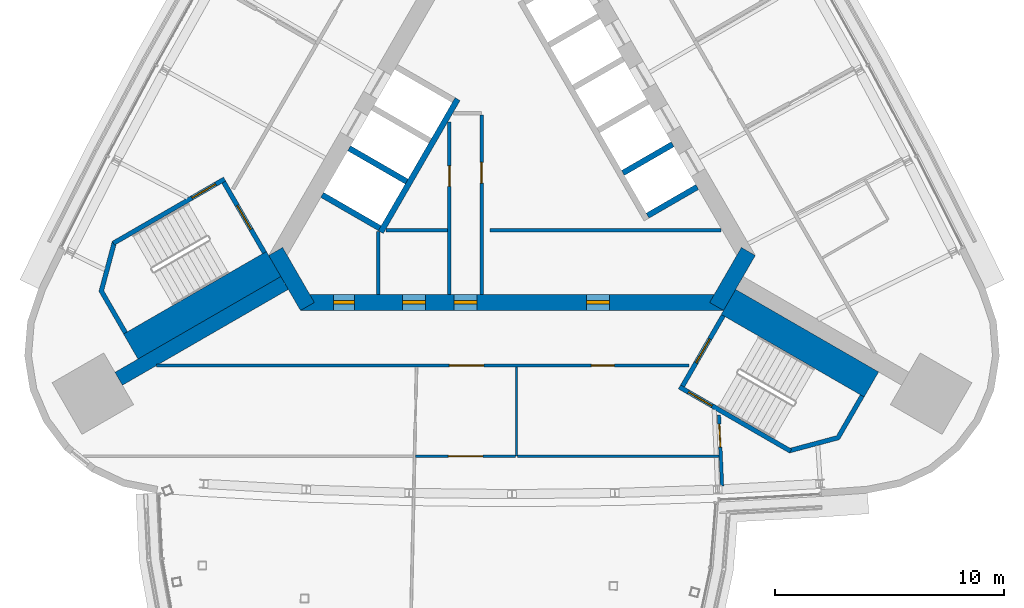
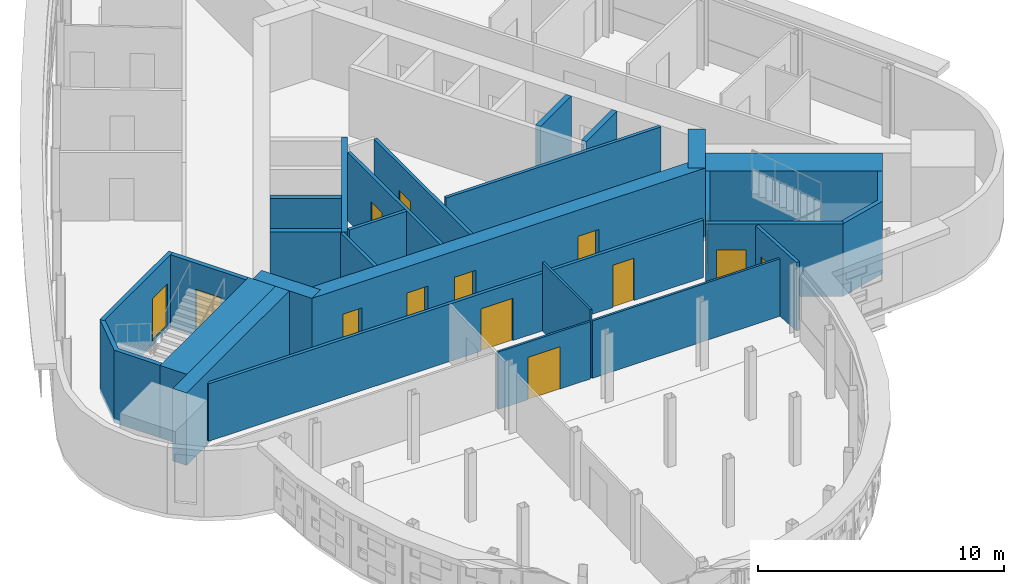
# One storey, part 9 of 14: 27 walls, 14 doors, 14 openings.
"""IFC4 building model written with IfcOpenShell, lengths in metres."""

from ifc_helpers import new_model, si_unit, direction, frame, frame_2d, origin, place, context, subcontext, project, spatial, polyline, rectangle, outline, extrude, material, layer, layer_set, type_object, element, fill, save


model = new_model("IFC4")

# Units and contexts
model_context = context("Model", 3, precision=1e-05, world=origin(), true_north=direction((0.0, 1.0)))
body_context = subcontext(model_context, "Body", "Model", "MODEL_VIEW")
ifc_project = project(units=[si_unit("LENGTHUNIT", "METRE"), si_unit("AREAUNIT", "SQUARE_METRE"), si_unit("VOLUMEUNIT", "CUBIC_METRE"), si_unit("PLANEANGLEUNIT", "RADIAN"), si_unit("MASSUNIT", "GRAM", prefix="KILO")], contexts=[model_context])

# Site, building, storey
site_placement = place(None, origin())
site = spatial("IfcSite", under=ifc_project, at=site_placement, CompositionType="ELEMENT")
building_placement = place(site_placement, origin())
building = spatial("IfcBuilding", under=site, at=building_placement, Name="Noor Cloister Tower", CompositionType="ELEMENT")
storey_placement = place(building_placement, frame((0.0, 0.0, 214.800048828125)))
storey = spatial("IfcBuildingStorey", under=building, at=storey_placement, Name="L55", CompositionType="ELEMENT", Elevation=214.800048828125)

# Walls
ifc_material_1 = material(Name="Concrete C60/75", Category="concrete")
ifc_layer_1 = layer(ifc_material_1, 0.64990234375)
ifc_layer_set_1 = layer_set([ifc_layer_1], Name="Buttress wall 650 C60/75")
wall_type_1 = type_object("IfcWallType", Name="Buttress wall 650 C60/75", PredefinedType="SHEAR", material=ifc_layer_set_1)
wall_1_placement = place(storey_placement, frame((-9.921630859375, -5.728271484375, -0.199951171875), z_axis=(0.0, 0.0, 1.0), x_axis=(-0.866030911543, -0.499990460161, 0.0)))
element("IfcWall", 1, at=wall_1_placement, inside=storey, type_object=wall_type_1, Name="Buttress wall SW L55", PredefinedType="SHEAR", context=body_context, shape_type="SweptSolid", body=[
    extrude(rectangle(XDim=8.358642578125, YDim=0.64990234375, at=frame_2d((4.17919921875, 0.0))), origin(), (0.0, 0.0, 1.0), 3.599853515625),
])
ifc_material_2 = material(Name="Concrete C30/37", Category="concrete")
ifc_layer_2 = layer(ifc_material_2, 0.14990234375)
ifc_layer_set_2 = layer_set([ifc_layer_2], Name="Core partition 150 C30/37")
wall_type_2 = type_object("IfcWallType", Name="Core partition 150 C30/37", PredefinedType="PARTITIONING", material=ifc_layer_set_2)
wall_2_placement = place(storey_placement, frame((-5.82861328125, -3.492431640625, 0.0), z_axis=(0.0, 0.0, 1.0), x_axis=(0.0, -1.0, 0.0)))
element("IfcWall", 2, at=wall_2_placement, inside=storey, type_object=wall_type_2, Name="Core room partition L55 1", PredefinedType="PARTITIONING", context=body_context, shape_type="SweptSolid", body=[
    extrude(rectangle(XDim=2.73583984375, YDim=0.14990234375, at=frame_2d((1.367919921875, 0.0))), origin(), (0.0, 0.0, 1.0), 3.39990234375),
])
wall_3_placement = place(storey_placement, frame((-5.48876953125, -3.42822265625, 0.0), z_axis=(0.0, 0.0, 1.0), x_axis=(1.0, 0.0, 0.0)))
element("IfcWall", 3, at=wall_3_placement, inside=storey, type_object=wall_type_2, Name="Core room partition L55 2", PredefinedType="PARTITIONING", context=body_context, shape_type="SweptSolid", body=[
    extrude(rectangle(XDim=2.68505859375, YDim=0.14990234375, at=frame_2d((1.342529296875, 0.0))), origin(), (0.0, 0.0, 1.0), 3.39990234375),
])

# Wall, opening, door
wall_4_placement = place(storey_placement, frame((-2.728759765625, 1.300048828125, 0.0), z_axis=(0.0, 0.0, 1.0), x_axis=(0.0, -1.0, 0.0)))
wall_4 = element("IfcWall", 4, at=wall_4_placement, inside=storey, type_object=wall_type_2, Name="Core room partition L55 3", PredefinedType="PARTITIONING", context=body_context, shape_type="SweptSolid", body=[
    extrude(rectangle(XDim=7.5283203125, YDim=0.14990234375, at=frame_2d((3.76416015625, 0.0))), origin(), (0.0, 0.0, 1.0), 3.39990234375),
])
opening_1_placement = place(wall_4_placement, frame((1.915283203125, 0.0, 0.0)))
opening_1 = element("IfcOpeningElement", 5, at=opening_1_placement, cuts=wall_4, Name="Opening L55-905", PredefinedType="OPENING", context=body_context, shape_type="SweptSolid", body=[
    extrude(rectangle(XDim=0.89990234375, YDim=2.10009765625, at=frame_2d((0.449951171875, 1.050048828125))), frame((0.0, 0.0849609375, 0.0), z_axis=(0.0, -1.0, 0.0), x_axis=(1.0, 0.0, 0.0)), (0.0, 0.0, 1.0), 0.169921875),
])
ifc_material_3 = material(Name="Steel", Category="steel")
door_type_1 = type_object("IfcDoorType", Name="Core door 900 x 2100 FD120", OperationType="SINGLE_SWING_LEFT", PredefinedType="DOOR", material=ifc_material_3)
door_1_placement = place(opening_1_placement, origin())
door_1 = element("IfcDoor", 6, at=door_1_placement, inside=storey, type_object=door_type_1, Name="Core door 5 L55", OperationType="SINGLE_SWING_LEFT", OverallHeight=2.10009765625, OverallWidth=0.89990234375, PredefinedType="DOOR", context=body_context, shape_type="SweptSolid", body=[
    extrude(rectangle(XDim=0.89990234375, YDim=2.10009765625, at=frame_2d((0.449951171875, 1.050048828125))), frame((0.0, 0.02490234375, 0.0), z_axis=(0.0, -1.0, 0.0), x_axis=(1.0, 0.0, 0.0)), (0.0, 0.0, 1.0), 0.050048828125),
])
fill(opening_1, door_1)

wall_5_placement = place(storey_placement, frame((-1.32861328125, 1.5966796875, 0.0), z_axis=(0.0, 0.0, 1.0), x_axis=(0.0, -1.0, 0.0)))
wall_5 = element("IfcWall", 7, at=wall_5_placement, inside=storey, type_object=wall_type_2, Name="Core room partition L55 5", PredefinedType="PARTITIONING", context=body_context, shape_type="SweptSolid", body=[
    extrude(rectangle(XDim=7.824951171875, YDim=0.14990234375, at=frame_2d((3.91259765625, 0.0))), origin(), (0.0, 0.0, 1.0), 3.39990234375),
])
opening_2_placement = place(wall_5_placement, frame((2.0634765625, 0.0, 0.0)))
opening_2 = element("IfcOpeningElement", 8, at=opening_2_placement, cuts=wall_5, Name="Opening L55-906", PredefinedType="OPENING", context=body_context, shape_type="SweptSolid", body=[
    extrude(rectangle(XDim=0.89990234375, YDim=2.10009765625, at=frame_2d((0.449951171875, 1.050048828125))), frame((0.0, 0.0849609375, 0.0), z_axis=(0.0, -1.0, 0.0), x_axis=(1.0, 0.0, 0.0)), (0.0, 0.0, 1.0), 0.169921875),
])
door_2_placement = place(opening_2_placement, origin())
door_2 = element("IfcDoor", 9, at=door_2_placement, inside=storey, type_object=door_type_1, Name="Core door 6 L55", OperationType="SINGLE_SWING_RIGHT", OverallHeight=2.10009765625, OverallWidth=0.89990234375, PredefinedType="DOOR", context=body_context, shape_type="SweptSolid", body=[
    extrude(rectangle(XDim=0.89990234375, YDim=2.10009765625, at=frame_2d((0.449951171875, 1.050048828125))), frame((0.0, 0.02490234375, 0.0), z_axis=(0.0, -1.0, 0.0), x_axis=(1.0, 0.0, 0.0)), (0.0, 0.0, 1.0), 0.050048828125),
])
fill(opening_2, door_2)

# Wall
wall_6_placement = place(storey_placement, frame((-0.95361328125, -3.42822265625, 0.0), z_axis=(0.0, 0.0, 1.0), x_axis=(1.0, 0.0, 0.0)))
element("IfcWall", 10, at=wall_6_placement, inside=storey, type_object=wall_type_2, Name="Core room partition L55 6", PredefinedType="PARTITIONING", context=body_context, shape_type="SweptSolid", body=[
    extrude(rectangle(XDim=10.07958984375, YDim=0.14990234375, at=frame_2d((5.039794921875, 0.0))), origin(), (0.0, 0.0, 1.0), 3.39990234375),
])

# Wall, openings, doors
ifc_material_4 = material(Name="Concrete C60/75", Category="concrete")
ifc_layer_3 = layer(ifc_material_4, 0.699951171875)
ifc_layer_set_3 = layer_set([ifc_layer_3], Name="Core wall 700 C60/75")
wall_type_3 = type_object("IfcWallType", Name="Core wall 700 C60/75", PredefinedType="SHEAR", material=ifc_layer_set_3)
wall_7_placement = place(storey_placement, frame((-9.228759765625, -6.578125, -0.199951171875), z_axis=(0.0, 0.0, 1.0), x_axis=(1.0, 0.0, 0.0)))
wall_7 = element("IfcWall", 11, at=wall_7_placement, inside=storey, type_object=wall_type_3, Name="Core wall L55 1", PredefinedType="SHEAR", context=body_context, shape_type="SweptSolid", body=[
    extrude(rectangle(XDim=18.45751953125, YDim=0.699951171875, at=frame_2d((9.228759765625, 0.0))), origin(), (0.0, 0.0, 1.0), 3.599853515625),
])
opening_3_placement = place(wall_7_placement, frame((6.699951171875, 0.0, 0.199951171875)))
opening_3 = element("IfcOpeningElement", 12, at=opening_3_placement, cuts=wall_7, Name="Opening L55-901", PredefinedType="OPENING", context=body_context, shape_type="SweptSolid", body=[
    extrude(rectangle(XDim=1.0, YDim=2.10009765625, at=frame_2d((0.5, 1.050048828125))), frame((0.0, 0.35986328125, 0.0), z_axis=(0.0, -1.0, 0.0), x_axis=(1.0, 0.0, 0.0)), (0.0, 0.0, 1.0), 0.719970703125),
])
opening_4_placement = place(wall_7_placement, frame((1.451904296875, 0.0, 0.199951171875)))
opening_4 = element("IfcOpeningElement", 13, at=opening_4_placement, cuts=wall_7, Name="Opening L55-902", PredefinedType="OPENING", context=body_context, shape_type="SweptSolid", body=[
    extrude(rectangle(XDim=0.89990234375, YDim=2.10009765625, at=frame_2d((0.449951171875, 1.050048828125))), frame((0.0, 0.35986328125, 0.0), z_axis=(0.0, -1.0, 0.0), x_axis=(1.0, 0.0, 0.0)), (0.0, 0.0, 1.0), 0.719970703125),
])
opening_5_placement = place(wall_7_placement, frame((4.449951171875, 0.0, 0.199951171875)))
opening_5 = element("IfcOpeningElement", 14, at=opening_5_placement, cuts=wall_7, Name="Opening L55-903", PredefinedType="OPENING", context=body_context, shape_type="SweptSolid", body=[
    extrude(rectangle(XDim=1.0, YDim=2.10009765625, at=frame_2d((0.5, 1.050048828125))), frame((0.0, 0.35986328125, 0.0), z_axis=(0.0, -1.0, 0.0), x_axis=(1.0, 0.0, 0.0)), (0.0, 0.0, 1.0), 0.719970703125),
])
opening_6_placement = place(wall_7_placement, frame((12.4765625, 0.0, 0.199951171875)))
opening_6 = element("IfcOpeningElement", 15, at=opening_6_placement, cuts=wall_7, Name="Opening L55-904", PredefinedType="OPENING", context=body_context, shape_type="SweptSolid", body=[
    extrude(rectangle(XDim=1.0, YDim=2.10009765625, at=frame_2d((0.5, 1.050048828125))), frame((0.0, 0.35986328125, 0.0), z_axis=(0.0, -1.0, 0.0), x_axis=(1.0, 0.0, 0.0)), (0.0, 0.0, 1.0), 0.719970703125),
])
ifc_material_5 = material(Name="Steel", Category="steel")
door_type_2 = type_object("IfcDoorType", Name="Core door 1000 x 2100 FD120", OperationType="SINGLE_SWING_LEFT", PredefinedType="DOOR", material=ifc_material_5)
door_3_placement = place(opening_3_placement, origin())
door_3 = element("IfcDoor", 16, at=door_3_placement, inside=storey, type_object=door_type_2, Name="Core door 1 L55", OperationType="SINGLE_SWING_LEFT", OverallHeight=2.10009765625, OverallWidth=1.0, PredefinedType="DOOR", context=body_context, shape_type="SweptSolid", body=[
    extrude(rectangle(XDim=1.0, YDim=2.10009765625, at=frame_2d((0.5, 1.050048828125))), frame((0.0, 0.074951171875, 0.0), z_axis=(0.0, -1.0, 0.0), x_axis=(1.0, 0.0, 0.0)), (0.0, 0.0, 1.0), 0.14990234375),
])
fill(opening_3, door_3)
ifc_material_6 = material(Name="Steel", Category="steel")
door_type_3 = type_object("IfcDoorType", Name="Core door 1000 x 2100 FD60", OperationType="SINGLE_SWING_LEFT", PredefinedType="DOOR", material=ifc_material_6)
door_4_placement = place(opening_5_placement, origin())
door_4 = element("IfcDoor", 17, at=door_4_placement, inside=storey, type_object=door_type_3, Name="Core door 3 L55", OperationType="SINGLE_SWING_LEFT", OverallHeight=2.10009765625, OverallWidth=1.0, PredefinedType="DOOR", context=body_context, shape_type="SweptSolid", body=[
    extrude(rectangle(XDim=1.0, YDim=2.10009765625, at=frame_2d((0.5, 1.050048828125))), frame((0.0, 0.074951171875, 0.0), z_axis=(0.0, -1.0, 0.0), x_axis=(1.0, 0.0, 0.0)), (0.0, 0.0, 1.0), 0.14990234375),
])
fill(opening_5, door_4)
door_5_placement = place(opening_6_placement, origin())
door_5 = element("IfcDoor", 18, at=door_5_placement, inside=storey, type_object=door_type_3, Name="Core door 4 L55", OperationType="SINGLE_SWING_RIGHT", OverallHeight=2.10009765625, OverallWidth=1.0, PredefinedType="DOOR", context=body_context, shape_type="SweptSolid", body=[
    extrude(rectangle(XDim=1.0, YDim=2.10009765625, at=frame_2d((0.5, 1.050048828125))), frame((0.0, 0.074951171875, 0.0), z_axis=(0.0, -1.0, 0.0), x_axis=(1.0, 0.0, 0.0)), (0.0, 0.0, 1.0), 0.14990234375),
])
fill(opening_6, door_5)
ifc_material_7 = material(Name="Steel", Category="steel")
door_type_4 = type_object("IfcDoorType", Name="Core door 900 x 2100 FD60", OperationType="SINGLE_SWING_LEFT", PredefinedType="DOOR", material=ifc_material_7)
door_6_placement = place(opening_4_placement, origin())
door_6 = element("IfcDoor", 19, at=door_6_placement, inside=storey, type_object=door_type_4, Name="Core door 2 L55", OperationType="SINGLE_SWING_RIGHT", OverallHeight=2.10009765625, OverallWidth=0.89990234375, PredefinedType="DOOR", context=body_context, shape_type="SweptSolid", body=[
    extrude(rectangle(XDim=0.89990234375, YDim=2.10009765625, at=frame_2d((0.449951171875, 1.050048828125))), frame((0.0, 0.074951171875, 0.0), z_axis=(0.0, -1.0, 0.0), x_axis=(1.0, 0.0, 0.0)), (0.0, 0.0, 1.0), 0.14990234375),
])
fill(opening_4, door_6)

# Walls
for number, where, z_axis, x_axis, name in (
    (20, (8.925537109375, -6.753173828125, -0.199951171875), (0.0, 0.0, 1.0), (0.500042739161, 0.866000726912, 0.0), "Core wall L55 2"),
    (21, (-10.311279296875, -4.353271484375, -0.199951171875), (0.0, 0.0, 1.0), (0.500042739161, -0.866000726912, 0.0), "Core wall L55 6"),
):
    element("IfcWall", number, at=place(storey_placement, frame(where, z_axis=z_axis, x_axis=x_axis)), inside=storey, type_object=wall_type_3, Name=name, PredefinedType="SHEAR", context=body_context, shape_type="SweptSolid", body=[
        extrude(rectangle(XDim=2.771240234375, YDim=0.699951171875, at=frame_2d((1.3857421875, 0.0))), origin(), (0.0, 0.0, 1.0), 3.599853515625),
    ])

# Wall, openings, doors
ifc_material_8 = material(Name="Gypsum board partition on steel studs, 150 mm", Category="steel")
ifc_layer_4 = layer(ifc_material_8, 0.14990234375)
ifc_layer_set_4 = layer_set([ifc_layer_4], Name="Flat wall 150")
wall_type_4 = type_object("IfcWallType", Name="Flat wall 150", PredefinedType="PARTITIONING", material=ifc_layer_set_4)
wall_8_placement = place(storey_placement, frame((-15.5068359375, -9.328125, 0.0), z_axis=(0.0, 0.0, 1.0), x_axis=(1.0, 0.0, 0.0)))
wall_8 = element("IfcWall", 22, at=wall_8_placement, inside=storey, type_object=wall_type_4, Name="Wall L55-W11", PredefinedType="PARTITIONING", context=body_context, shape_type="SweptSolid", body=[
    extrude(rectangle(XDim=23.234375, YDim=0.14990234375, at=frame_2d((11.6171875, 0.0))), origin(), (0.0, 0.0, 1.0), 2.85205078125),
])
opening_7_placement = place(wall_8_placement, frame((12.77490234375, 0.0, 0.0)))
opening_7 = element("IfcOpeningElement", 23, at=opening_7_placement, cuts=wall_8, Name="Opening L55-007", PredefinedType="OPENING", context=body_context, shape_type="SweptSolid", body=[
    extrude(rectangle(XDim=1.5, YDim=2.10009765625, at=frame_2d((0.75, 1.050048828125))), frame((0.0, 0.0849609375, 0.0), z_axis=(0.0, -1.0, 0.0), x_axis=(1.0, 0.0, 0.0)), (0.0, 0.0, 1.0), 0.169921875),
])
opening_8_placement = place(wall_8_placement, frame((18.970703125, 0.0, 0.0)))
opening_8 = element("IfcOpeningElement", 24, at=opening_8_placement, cuts=wall_8, Name="Opening L55-011", PredefinedType="OPENING", context=body_context, shape_type="SweptSolid", body=[
    extrude(rectangle(XDim=1.0, YDim=2.10009765625, at=frame_2d((0.5, 1.050048828125))), frame((0.0, 0.0849609375, 0.0), z_axis=(0.0, -1.0, 0.0), x_axis=(1.0, 0.0, 0.0)), (0.0, 0.0, 1.0), 0.169921875),
])
ifc_material_9 = material(Name="Timber door leaf with steel frame", Category="steel")
door_type_5 = type_object("IfcDoorType", Name="Double door 1500 FD60", OperationType="NOTDEFINED", PredefinedType="DOOR", material=ifc_material_9)
door_7_placement = place(opening_7_placement, origin())
door_7 = element("IfcDoor", 25, at=door_7_placement, inside=storey, type_object=door_type_5, Name="Door L55-007", OperationType="DOUBLE_DOOR_SINGLE_SWING", OverallHeight=2.10009765625, OverallWidth=1.5, PredefinedType="DOOR", context=body_context, shape_type="SweptSolid", body=[
    extrude(rectangle(XDim=1.5, YDim=2.10009765625, at=frame_2d((0.75, 1.050048828125))), frame((0.0, 0.02490234375, 0.0), z_axis=(0.0, -1.0, 0.0), x_axis=(1.0, 0.0, 0.0)), (0.0, 0.0, 1.0), 0.050048828125),
])
fill(opening_7, door_7)
ifc_material_10 = material(Name="Timber door leaf with steel frame", Category="steel")
door_type_6 = type_object("IfcDoorType", Name="Interior door 1000 FD60", OperationType="NOTDEFINED", PredefinedType="DOOR", material=ifc_material_10)
door_8_placement = place(opening_8_placement, origin())
door_8 = element("IfcDoor", 26, at=door_8_placement, inside=storey, type_object=door_type_6, Name="Door L55-011", OperationType="SINGLE_SWING_LEFT", OverallHeight=2.10009765625, OverallWidth=1.0, PredefinedType="DOOR", context=body_context, shape_type="SweptSolid", body=[
    extrude(rectangle(XDim=1.0, YDim=2.10009765625, at=frame_2d((0.5, 1.050048828125))), frame((0.0, 0.02490234375, 0.0), z_axis=(0.0, -1.0, 0.0), x_axis=(1.0, 0.0, 0.0)), (0.0, 0.0, 1.0), 0.050048828125),
])
fill(opening_8, door_8)

# Wall, opening, door
wall_9_placement = place(storey_placement, frame((9.165771484375, -14.580810546875, 0.0), z_axis=(0.0, 0.0, 1.0), x_axis=(-0.044258886008, 0.999020095398, 0.0)))
wall_9 = element("IfcWall", 27, at=wall_9_placement, inside=storey, type_object=wall_type_4, Name="Wall L55-W12", PredefinedType="PARTITIONING", context=body_context, shape_type="SweptSolid", body=[
    extrude(rectangle(XDim=3.094482421875, YDim=0.14990234375, at=frame_2d((1.54736328125, 0.0))), origin(), (0.0, 0.0, 1.0), 3.39990234375),
])
opening_9_placement = place(wall_9_placement, frame((1.697265625, 0.0, 0.0)))
opening_9 = element("IfcOpeningElement", 28, at=opening_9_placement, cuts=wall_9, Name="Opening L55-012", PredefinedType="OPENING", context=body_context, shape_type="SweptSolid", body=[
    extrude(rectangle(XDim=1.0, YDim=2.10009765625, at=frame_2d((0.5, 1.050048828125))), frame((0.0, 0.0849609375, 0.0), z_axis=(0.0, -1.0, 0.0), x_axis=(1.0, 0.0, 0.0)), (0.0, 0.0, 1.0), 0.169921875),
])
door_9_placement = place(opening_9_placement, origin())
door_9 = element("IfcDoor", 29, at=door_9_placement, inside=storey, type_object=door_type_6, Name="Door L55-012", OperationType="SINGLE_SWING_RIGHT", OverallHeight=2.10009765625, OverallWidth=1.0, PredefinedType="DOOR", context=body_context, shape_type="SweptSolid", body=[
    extrude(rectangle(XDim=1.0, YDim=2.10009765625, at=frame_2d((0.5, 1.050048828125))), frame((0.0, 0.02490234375, 0.0), z_axis=(0.0, -1.0, 0.0), x_axis=(1.0, 0.0, 0.0)), (0.0, 0.0, 1.0), 0.050048828125),
])
fill(opening_9, door_9)

# Wall
ifc_material_11 = material(Name="Gypsum board partition on steel studs, 100 mm", Category="steel")
ifc_layer_5 = layer(ifc_material_11, 0.10009765625)
ifc_layer_set_5 = layer_set([ifc_layer_5], Name="Partition 100")
wall_type_5 = type_object("IfcWallType", Name="Partition 100", PredefinedType="PARTITIONING", material=ifc_layer_set_5)
wall_10_placement = place(storey_placement, frame((0.199951171875, -9.4033203125, 0.0), z_axis=(0.0, 0.0, 1.0), x_axis=(0.0, -1.0, 0.0)))
element("IfcWall", 30, at=wall_10_placement, inside=storey, type_object=wall_type_5, Name="Wall L55-W14", PredefinedType="PARTITIONING", context=body_context, shape_type="SweptSolid", body=[
    extrude(rectangle(XDim=3.879150390625, YDim=0.10009765625, at=frame_2d((1.939453125, 0.0))), origin(), (0.0, 0.0, 1.0), 3.39990234375),
])

# Wall, opening, door
wall_11_placement = place(storey_placement, frame((-4.201904296875, -13.282470703125, 0.0), z_axis=(0.0, 0.0, 1.0), x_axis=(1.0, 0.0, 0.0)))
wall_11 = element("IfcWall", 31, at=wall_11_placement, inside=storey, type_object=wall_type_5, Name="Wall L55-W16", PredefinedType="PARTITIONING", context=body_context, shape_type="SweptSolid", body=[
    extrude(rectangle(XDim=4.351806640625, YDim=0.10009765625, at=frame_2d((2.17578125, 0.0))), origin(), (0.0, 0.0, 1.0), 2.85205078125),
])
opening_10_placement = place(wall_11_placement, frame((1.42578125, 0.0, 0.0)))
opening_10 = element("IfcOpeningElement", 32, at=opening_10_placement, cuts=wall_11, Name="Opening L55-010", PredefinedType="OPENING", context=body_context, shape_type="SweptSolid", body=[
    extrude(rectangle(XDim=1.5, YDim=2.10009765625, at=frame_2d((0.75, 1.050048828125))), frame((0.0, 0.06005859375, 0.0), z_axis=(0.0, -1.0, 0.0), x_axis=(1.0, 0.0, 0.0)), (0.0, 0.0, 1.0), 0.1201171875),
])
ifc_material_12 = material(Name="Timber door leaf with steel frame", Category="steel")
door_type_7 = type_object("IfcDoorType", Name="Double door 1500", OperationType="NOTDEFINED", PredefinedType="DOOR", material=ifc_material_12)
door_10_placement = place(opening_10_placement, origin())
door_10 = element("IfcDoor", 33, at=door_10_placement, inside=storey, type_object=door_type_7, Name="Door L55-010", OperationType="DOUBLE_DOOR_SINGLE_SWING", OverallHeight=2.10009765625, OverallWidth=1.5, PredefinedType="DOOR", context=body_context, shape_type="SweptSolid", body=[
    extrude(rectangle(XDim=1.5, YDim=2.10009765625, at=frame_2d((0.75, 1.050048828125))), frame((0.0, 0.02490234375, 0.0), z_axis=(0.0, -1.0, 0.0), x_axis=(1.0, 0.0, 0.0)), (0.0, 0.0, 1.0), 0.050048828125),
])
fill(opening_10, door_10)

# Walls
wall_12_placement = place(storey_placement, frame((0.25, -13.282470703125, 0.0), z_axis=(0.0, 0.0, 1.0), x_axis=(1.0, 0.0, 0.0)))
element("IfcWall", 34, at=wall_12_placement, inside=storey, type_object=wall_type_5, Name="Wall L55-W17", PredefinedType="PARTITIONING", context=body_context, shape_type="SweptSolid", body=[
    extrude(rectangle(XDim=8.783203125, YDim=0.10009765625, at=frame_2d((4.3916015625, 0.0))), origin(), (0.0, 0.0, 1.0), 2.85205078125),
])
ifc_material_13 = material(Name="Concrete C60/75", Category="concrete")
ifc_layer_6 = layer(ifc_material_13, 0.25)
ifc_layer_set_6 = layer_set([ifc_layer_6], Name="Shaft wall 250 C60/75")
wall_type_6 = type_object("IfcWallType", Name="Shaft wall 250 C60/75", PredefinedType="PARTITIONING", material=ifc_layer_set_6)
for number, where, z_axis, x_axis, name in (
    (35, (8.081298828125, -1.540771484375, -0.199951171875), (0.0, 0.0, 1.0), (-0.866022959057, -0.500004234368, 0.0), "Lift shaft wall L55 NE 1"),
    (36, (7.00634765625, 0.3212890625, -0.199951171875), (0.0, 0.0, 1.0), (-0.866022959057, -0.500004234368, 0.0), "Lift shaft wall L55 NE 2"),
):
    element("IfcWall", number, at=place(storey_placement, frame(where, z_axis=z_axis, x_axis=x_axis)), inside=storey, type_object=wall_type_6, Name=name, PredefinedType="PARTITIONING", context=body_context, shape_type="SweptSolid", body=[
        extrude(rectangle(XDim=2.5, YDim=0.25, at=frame_2d((1.25, 0.0))), origin(), (0.0, 0.0, 1.0), 3.599853515625),
    ])
for number, where, z_axis, x_axis, name in (
    (37, (-7.106201171875, 0.14794921875, -0.199951171875), (0.0, 0.0, 1.0), (0.866032775405, -0.499987231761, 0.0), "Lift shaft wall L55 NW 5"),
    (38, (-8.28125, -1.88720703125, -0.199951171875), (0.0, 0.0, 1.0), (0.866032775405, -0.499987231761, 0.0), "Lift shaft wall L55 NW 6"),
):
    element("IfcWall", number, at=place(storey_placement, frame(where, z_axis=z_axis, x_axis=x_axis)), inside=storey, type_object=wall_type_6, Name=name, PredefinedType="PARTITIONING", context=body_context, shape_type="SweptSolid", body=[
        extrude(rectangle(XDim=2.89990234375, YDim=0.25, at=frame_2d((1.449951171875, 0.0))), origin(), (0.0, 0.0, 1.0), 3.599853515625),
    ])
wall_13_placement = place(storey_placement, frame((-2.3740234375, 2.29443359375, 0.0), z_axis=(0.0, 0.0, 1.0), x_axis=(-0.500003174267, -0.866023571113, 0.0)))
element("IfcWall", 39, at=wall_13_placement, inside=storey, type_object=wall_type_6, Name="Lift shaft back wall L55 NW", PredefinedType="PARTITIONING", context=body_context, shape_type="SweptSolid", body=[
    extrude(rectangle(XDim=6.7001953125, YDim=0.25, at=frame_2d((3.35009765625, 0.0))), origin(), (0.0, 0.0, 1.0), 3.39990234375),
])
ifc_material_14 = material(Name="Concrete C60/75", Category="concrete")
ifc_layer_7 = layer(ifc_material_14, 1.260986328125)
ifc_layer_set_7 = layer_set([ifc_layer_7], Name="Stair enclosure wall 1261 C60/75")
wall_type_7 = type_object("IfcWallType", Name="Stair enclosure wall 1261 C60/75", PredefinedType="SHEAR", material=ifc_layer_set_7)
for number, where, z_axis, x_axis, name in (
    (40, (-10.399169921875, -4.90087890625, -0.199951171875), (0.0, 0.0, 1.0), (-0.866018442252, -0.500012057535, 0.0), "Stair enclosure wall ST2 L55 riser side"),
    (41, (9.44384765625, -6.555419921875, -0.199951171875), (0.0, 0.0, 1.0), (0.866018442252, -0.500012057535, 0.0), "Stair enclosure wall ST3 L55 riser side"),
):
    element("IfcWall", number, at=place(storey_placement, frame(where, z_axis=z_axis, x_axis=x_axis)), inside=storey, type_object=wall_type_7, Name=name, PredefinedType="SHEAR", context=body_context, shape_type="SweptSolid", body=[
        extrude(rectangle(XDim=7.199951171875, YDim=1.2607421875, at=frame_2d((3.60009765625, 0.0))), origin(), (0.0, 0.0, 1.0), 3.599853515625),
    ])

# Wall, opening, door
ifc_material_15 = material(Name="Concrete C60/75", Category="concrete")
ifc_layer_8 = layer(ifc_material_15, 0.199951171875)
ifc_layer_set_8 = layer_set([ifc_layer_8], Name="Stair enclosure wall 200 C60/75")
wall_type_8 = type_object("IfcWallType", Name="Stair enclosure wall 200 C60/75", PredefinedType="SHEAR", material=ifc_layer_set_8)
wall_14_placement = place(storey_placement, frame((-12.575927734375, -1.33056640625, -0.199951171875), z_axis=(0.0, 0.0, 1.0), x_axis=(0.499970499736, -0.8660424351, 0.0)))
wall_14 = element("IfcWall", 42, at=wall_14_placement, inside=storey, type_object=wall_type_8, Name="Stair enclosure wall ST2 L55 near end", PredefinedType="SHEAR", context=body_context, shape_type="SweptSolid", body=[
    extrude(rectangle(XDim=3.550048828125, YDim=0.199951171875, at=frame_2d((1.77490234375, 0.0))), origin(), (0.0, 0.0, 1.0), 3.599853515625),
])
opening_11_placement = place(wall_14_placement, frame((1.175048828125, 0.0, 0.199951171875)))
opening_11 = element("IfcOpeningElement", 43, at=opening_11_placement, cuts=wall_14, Name="Opening L55-ST2L", PredefinedType="OPENING", context=body_context, shape_type="SweptSolid", body=[
    extrude(rectangle(XDim=1.199951171875, YDim=2.10009765625, at=frame_2d((0.60009765625, 1.050048828125))), frame((0.0, 0.10986328125, 0.0), z_axis=(0.0, -1.0, 0.0), x_axis=(1.0, 0.0, 0.0)), (0.0, 0.0, 1.0), 0.219970703125),
])
ifc_material_16 = material(Name="Steel", Category="steel")
door_type_8 = type_object("IfcDoorType", Name="Stair door 1200 x 2100 FD120", OperationType="SINGLE_SWING_LEFT", PredefinedType="DOOR", material=ifc_material_16)
door_11_placement = place(opening_11_placement, origin())
door_11 = element("IfcDoor", 44, at=door_11_placement, inside=storey, type_object=door_type_8, Name="Stair door ST2 L55", OperationType="SINGLE_SWING_RIGHT", OverallHeight=2.10009765625, OverallWidth=1.199951171875, PredefinedType="DOOR", context=body_context, shape_type="SweptSolid", body=[
    extrude(rectangle(XDim=1.199951171875, YDim=2.10009765625, at=frame_2d((0.60009765625, 1.050048828125))), frame((0.0, 0.02490234375, 0.0), z_axis=(0.0, -1.0, 0.0), x_axis=(1.0, 0.0, 0.0)), (0.0, 0.0, 1.0), 0.050048828125),
])
fill(opening_11, door_11)

wall_15_placement = place(storey_placement, frame((-12.539306640625, -1.194091796875, -0.199951171875), z_axis=(0.0, 0.0, 1.0), x_axis=(-0.866045472092, -0.499965239061, 0.0)))
wall_15 = element("IfcWall", 45, at=wall_15_placement, inside=storey, type_object=wall_type_8, Name="Stair enclosure wall ST2 L55 outer side", PredefinedType="SHEAR", context=body_context, shape_type="SweptSolid", body=[
    extrude(rectangle(XDim=5.60009765625, YDim=0.199951171875, at=frame_2d((2.800048828125, 0.0))), origin(), (0.0, 0.0, 1.0), 3.599853515625),
])
opening_12_placement = place(wall_15_placement, frame((0.449951171875, 0.0, 0.199951171875)))
opening_12 = element("IfcOpeningElement", 46, at=opening_12_placement, cuts=wall_15, Name="Opening L55-ST2C", PredefinedType="OPENING", context=body_context, shape_type="SweptSolid", body=[
    extrude(rectangle(XDim=1.199951171875, YDim=2.10009765625, at=frame_2d((0.60009765625, 1.050048828125))), frame((0.0, 0.10986328125, 0.0), z_axis=(0.0, -1.0, 0.0), x_axis=(1.0, 0.0, 0.0)), (0.0, 0.0, 1.0), 0.219970703125),
])
door_12_placement = place(opening_12_placement, origin())
door_12 = element("IfcDoor", 47, at=door_12_placement, inside=storey, type_object=door_type_8, Name="Stair door ST2 L55", OperationType="SINGLE_SWING_LEFT", OverallHeight=2.10009765625, OverallWidth=1.199951171875, PredefinedType="DOOR", context=body_context, shape_type="SweptSolid", body=[
    extrude(rectangle(XDim=1.199951171875, YDim=2.10009765625, at=frame_2d((0.60009765625, 1.050048828125))), frame((0.0, 0.02490234375, 0.0), z_axis=(0.0, -1.0, 0.0), x_axis=(1.0, 0.0, 0.0)), (0.0, 0.0, 1.0), 0.050048828125),
])
fill(opening_12, door_12)

wall_16_placement = place(storey_placement, frame((7.440185546875, -10.225830078125, -0.199951171875), z_axis=(0.0, 0.0, 1.0), x_axis=(0.500022077904, 0.866012656725, 0.0)))
wall_16 = element("IfcWall", 48, at=wall_16_placement, inside=storey, type_object=wall_type_8, Name="Stair enclosure wall ST3 L55 near end", PredefinedType="SHEAR", context=body_context, shape_type="SweptSolid", body=[
    extrude(rectangle(XDim=3.550048828125, YDim=0.199951171875, at=frame_2d((1.77490234375, 0.0))), origin(), (0.0, 0.0, 1.0), 3.599853515625),
])
opening_13_placement = place(wall_16_placement, frame((1.175048828125, 0.0, 0.199951171875)))
opening_13 = element("IfcOpeningElement", 49, at=opening_13_placement, cuts=wall_16, Name="Opening L55-ST3L", PredefinedType="OPENING", context=body_context, shape_type="SweptSolid", body=[
    extrude(rectangle(XDim=1.199951171875, YDim=2.10009765625, at=frame_2d((0.60009765625, 1.050048828125))), frame((0.0, 0.10986328125, 0.0), z_axis=(0.0, -1.0, 0.0), x_axis=(1.0, 0.0, 0.0)), (0.0, 0.0, 1.0), 0.219970703125),
])
door_13_placement = place(opening_13_placement, origin())
door_13 = element("IfcDoor", 50, at=door_13_placement, inside=storey, type_object=door_type_8, Name="Stair door ST3 L55", OperationType="SINGLE_SWING_RIGHT", OverallHeight=2.10009765625, OverallWidth=1.199951171875, PredefinedType="DOOR", context=body_context, shape_type="SweptSolid", body=[
    extrude(rectangle(XDim=1.199951171875, YDim=2.10009765625, at=frame_2d((0.60009765625, 1.050048828125))), frame((0.0, 0.02490234375, 0.0), z_axis=(0.0, -1.0, 0.0), x_axis=(1.0, 0.0, 0.0)), (0.0, 0.0, 1.0), 0.050048828125),
])
fill(opening_13, door_13)

wall_17_placement = place(storey_placement, frame((7.3037109375, -10.262451171875, -0.199951171875), z_axis=(0.0, 0.0, 1.0), x_axis=(0.866026594901, -0.49999793692, 0.0)))
wall_17 = element("IfcWall", 51, at=wall_17_placement, inside=storey, type_object=wall_type_8, Name="Stair enclosure wall ST3 L55 outer side", PredefinedType="SHEAR", context=body_context, shape_type="SweptSolid", body=[
    extrude(rectangle(XDim=5.60009765625, YDim=0.199951171875, at=frame_2d((2.800048828125, 0.0))), origin(), (0.0, 0.0, 1.0), 3.599853515625),
])
opening_14_placement = place(wall_17_placement, frame((0.449951171875, 0.0, 0.199951171875)))
opening_14 = element("IfcOpeningElement", 52, at=opening_14_placement, cuts=wall_17, Name="Opening L55-ST3C", PredefinedType="OPENING", context=body_context, shape_type="SweptSolid", body=[
    extrude(rectangle(XDim=1.199951171875, YDim=2.10009765625, at=frame_2d((0.60009765625, 1.050048828125))), frame((0.0, 0.10986328125, 0.0), z_axis=(0.0, -1.0, 0.0), x_axis=(1.0, 0.0, 0.0)), (0.0, 0.0, 1.0), 0.219970703125),
])
door_14_placement = place(opening_14_placement, origin())
door_14 = element("IfcDoor", 53, at=door_14_placement, inside=storey, type_object=door_type_8, Name="Stair door ST3 L55", OperationType="SINGLE_SWING_LEFT", OverallHeight=2.10009765625, OverallWidth=1.199951171875, PredefinedType="DOOR", context=body_context, shape_type="SweptSolid", body=[
    extrude(rectangle(XDim=1.199951171875, YDim=2.10009765625, at=frame_2d((0.60009765625, 1.050048828125))), frame((0.0, 0.02490234375, 0.0), z_axis=(0.0, -1.0, 0.0), x_axis=(1.0, 0.0, 0.0)), (0.0, 0.0, 1.0), 0.050048828125),
])
fill(opening_14, door_14)

# Walls
ifc_material_17 = material(Name="Concrete C60/75", Category="concrete")
wall_type_9 = type_object("IfcWallType", Name="Stair far end wall C60/75", PredefinedType="SHEAR", material=ifc_material_17)
wall_18_placement = place(storey_placement, frame((0.0, 0.0, -0.199951171875)))
element("IfcWall", 54, at=wall_18_placement, inside=storey, type_object=wall_type_9, Name="Stair enclosure wall ST2 L55 far end", PredefinedType="SHEAR", context=body_context, shape_type="SweptSolid", body=[
    extrude(outline(polyline([(-17.439208984375, -3.907470703125), (-18.024658203125, -6.093017578125), (-16.94970703125, -7.955078125), (-16.776611328125, -7.85498046875), (-17.81005859375, -6.064697265625), (-17.267333984375, -4.039306640625), (-17.339111328125, -4.08056640625), (-17.339111328125, -4.08056640625), (-17.339111328125, -4.08056640625), (-17.339111328125, -4.08056640625), (-17.339111328125, -4.08056640625), (-17.339111328125, -4.08056640625), (-17.339111328125, -4.08056640625), (-17.339111328125, -4.08056640625), (-17.339111328125, -4.08056640625), (-17.339111328125, -4.08056640625), (-17.339111328125, -4.08056640625), (-17.339111328125, -4.08056640625), (-17.339111328125, -4.08056640625), (-17.339111328125, -4.08056640625), (-17.339111328125, -4.08056640625), (-17.339111328125, -4.08056640625), (-17.339111328125, -4.08056640625), (-17.439208984375, -3.907470703125)])), origin(), (0.0, 0.0, 1.0), 3.599853515625),
])
wall_19_placement = place(storey_placement, frame((0.0, 0.0, -0.199951171875)))
element("IfcWall", 55, at=wall_19_placement, inside=storey, type_object=wall_type_9, Name="Stair enclosure wall ST3 L55 far end", PredefinedType="SHEAR", context=body_context, shape_type="SweptSolid", body=[
    extrude(outline(polyline([(12.103515625, -13.14892578125), (14.2890625, -12.5634765625), (15.364013671875, -10.701416015625), (15.19091796875, -10.601318359375), (14.1572265625, -12.3916015625), (12.131591796875, -12.934326171875), (12.20361328125, -12.975830078125), (12.20361328125, -12.975830078125), (12.20361328125, -12.975830078125), (12.20361328125, -12.975830078125), (12.20361328125, -12.975830078125), (12.20361328125, -12.975830078125), (12.20361328125, -12.975830078125), (12.20361328125, -12.975830078125), (12.20361328125, -12.975830078125), (12.20361328125, -12.975830078125), (12.20361328125, -12.975830078125), (12.20361328125, -12.975830078125), (12.20361328125, -12.975830078125), (12.20361328125, -12.975830078125), (12.20361328125, -12.975830078125), (12.20361328125, -12.975830078125), (12.20361328125, -12.975830078125), (12.103515625, -13.14892578125)])), origin(), (0.0, 0.0, 1.0), 3.599853515625),
])

save(model, "model.ifc")
